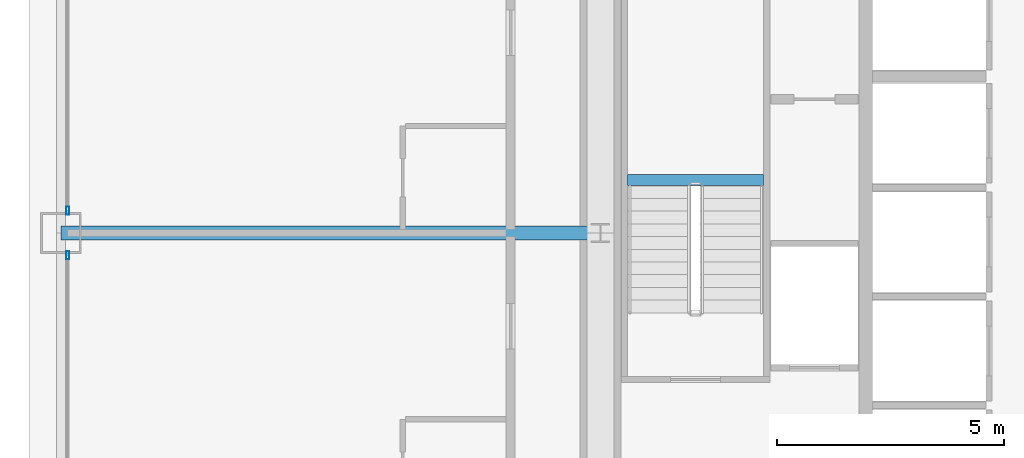
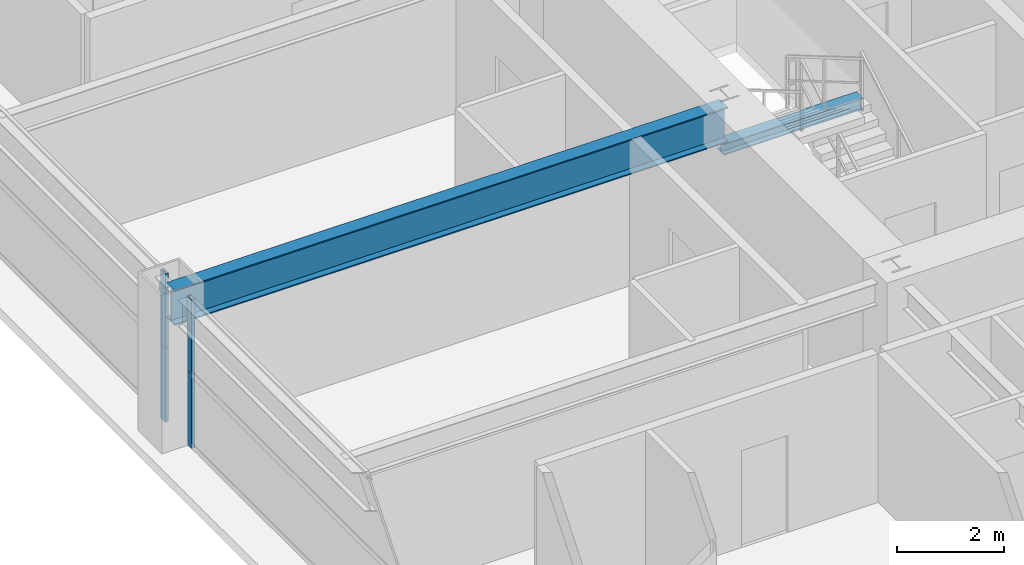
# One storey, part 12 of 45: 4 members, 2 beams, 2 elements without a shape of their own.
"""IFC4 building model written with IfcOpenShell, lengths in metres."""

from ifc_helpers import new_model, si_unit, direction, frame, origin, origin_2d, place, context, subcontext, project, spatial, hollow_rectangle, i_section, extrude, source, transform, mapped, material, layer, layer_set, material_profile, profile_set, type_object, element, aggregate, save


model = new_model("IFC4")

# Units and contexts
model_context = context("Model", 3, precision=1e-05, world=origin(), true_north=direction((0.0, 1.0)))
body_context = subcontext(model_context, "Body", "Model", "MODEL_VIEW")
ifc_project = project(units=[si_unit("LENGTHUNIT", "METRE"), si_unit("AREAUNIT", "SQUARE_METRE"), si_unit("VOLUMEUNIT", "CUBIC_METRE"), si_unit("PLANEANGLEUNIT", "RADIAN"), si_unit("MASSUNIT", "GRAM", prefix="KILO"), si_unit("THERMODYNAMICTEMPERATUREUNIT", "KELVIN"), si_unit("POWERUNIT", "WATT")], contexts=[model_context])

# Site, building, storey
site_placement = place(None, origin())
site = spatial("IfcSite", under=ifc_project, at=site_placement, CompositionType="ELEMENT")
building_placement = place(site_placement, origin())
building = spatial("IfcBuilding", under=site, at=building_placement, Name="Yuzanri Waterfront Tower", CompositionType="ELEMENT")
storey_placement = place(building_placement, frame((0.0, 0.0, 34.199951171875)))
storey = spatial("IfcBuildingStorey", under=building, at=storey_placement, Name="L08", CompositionType="ELEMENT", Elevation=34.199951171875)

# Beam
ifc_material_1 = material(Name="Steel Q355B", Category="steel")
ifc_material_profile_1 = material_profile(ifc_material_1, i_section(OverallWidth=0.300048828125, OverallDepth=0.800048828125, WebThickness=0.013916015625, FlangeThickness=0.02587890625, at=origin_2d()), Name="HN 800x300x14x26")
ifc_profile_set_1 = profile_set([ifc_material_profile_1], Name="Steel Q355B")
beam_type_1 = type_object("IfcBeamType", Name="Primary Floor Girder Q355B HN 800x300", PredefinedType="BEAM", material=ifc_profile_set_1)
shared_shape_1 = source(origin(), body_context, "Body", "SweptSolid", [
    extrude(i_section(OverallWidth=0.300048828125, OverallDepth=0.800048828125, WebThickness=0.013916015625, FlangeThickness=0.02587890625, at=origin_2d()), origin(), (0.0, 0.0, 1.0), 11.900146484375),
])
beam_1_placement = place(storey_placement, frame((23.800048828125, 25.800048828125, 2.97998046875), z_axis=(-1.0, 0.0, 0.0), x_axis=(0.0, -1.0, 0.0)))
element("IfcBeam", 1, at=beam_1_placement, inside=storey, type_object=beam_type_1, Name="L08 West Grid Girder", PredefinedType="BEAM", context=body_context, shape_type="MappedRepresentation", body=[
    mapped(shared_shape_1, transform((0.0, 0.0, 0.0), scale=1.0)),
])

# Curtain wall, members
ifc_material_2 = material(Name="Anodized Architectural Bronze", Category="metal")
ifc_layer = layer(ifc_material_2, 0.159912109375)
ifc_layer_set = layer_set([ifc_layer], Name="Anodized Architectural Bronze")
curtain_wall_type = type_object("IfcCurtainWallType", Name="Anodized Bronze Hotel Lower-Tier Recessed Unitized Curtain Wall 8100", PredefinedType="NOTDEFINED", material=ifc_layer_set)
curtain_wall_1_placement = place(storey_placement, origin())
curtain_wall_1 = element("IfcCurtainWall", 2, at=curtain_wall_1_placement, inside=storey, type_object=curtain_wall_type, Name="L08 Curtain Wall CW-L08-WL", PredefinedType="NOTDEFINED")
ifc_material_3 = material(Name="Anodized Architectural Bronze", Category="metal")
ifc_material_profile_2 = material_profile(ifc_material_3, hollow_rectangle(XDim=0.070068359375, YDim=0.179931640625, WallThickness=0.00390625, at=origin_2d()), Name="CWM 70x180")
ifc_profile_set_2 = profile_set([ifc_material_profile_2], Name="Anodized Architectural Bronze")
member_type = type_object("IfcMemberType", Name="Anodized Bronze Standard Curtain-Wall Mullion 70x180", PredefinedType="MULLION", material=ifc_profile_set_2)
shared_shape_2 = source(origin(), body_context, "Body", "SweptSolid", [
    extrude(hollow_rectangle(XDim=0.070068359375, YDim=0.179931640625, WallThickness=0.00390625, at=origin_2d()), origin(), (0.0, 0.0, 1.0), 1.68798828125),
])
member_1_placement = place(storey_placement, frame((12.050048828125, 25.31005859375, 0.0), z_axis=(0.0, 0.0, 1.0), x_axis=(1.0, 0.0, 0.0)))
member_1 = element("IfcMember", 3, at=member_1_placement, type_object=member_type, Name="CW-L08-WL Lower Mullion 02", PredefinedType="MULLION", context=body_context, shape_type="MappedRepresentation", body=[
    mapped(shared_shape_2, transform((0.0, 0.0, 0.0), scale=1.0)),
])
member_2_placement = place(storey_placement, frame((12.050048828125, 25.31005859375, 1.692138671875), z_axis=(0.0, 0.0, 1.0), x_axis=(1.0, 0.0, 0.0)))
member_2 = element("IfcMember", 4, at=member_2_placement, type_object=member_type, Name="CW-L08-WL Upper Mullion 02", PredefinedType="MULLION", context=body_context, shape_type="MappedRepresentation", body=[
    mapped(shared_shape_2, transform((0.0, 0.0, 0.0), scale=1.0)),
])
aggregate(curtain_wall_1, [member_1, member_2])

curtain_wall_2_placement = place(storey_placement, origin())
curtain_wall_2 = element("IfcCurtainWall", 5, at=curtain_wall_2_placement, inside=storey, type_object=curtain_wall_type, Name="L08 Curtain Wall CW-L08-WR", PredefinedType="NOTDEFINED")
member_3_placement = place(storey_placement, frame((12.050048828125, 26.2900390625, 0.0), z_axis=(0.0, 0.0, 1.0), x_axis=(1.0, 0.0, 0.0)))
member_3 = element("IfcMember", 6, at=member_3_placement, type_object=member_type, Name="CW-L08-WR Lower Mullion 00", PredefinedType="MULLION", context=body_context, shape_type="MappedRepresentation", body=[
    mapped(shared_shape_2, transform((0.0, 0.0, 0.0), scale=1.0)),
])
member_4_placement = place(storey_placement, frame((12.050048828125, 26.2900390625, 1.692138671875), z_axis=(0.0, 0.0, 1.0), x_axis=(1.0, 0.0, 0.0)))
member_4 = element("IfcMember", 7, at=member_4_placement, type_object=member_type, Name="CW-L08-WR Upper Mullion 00", PredefinedType="MULLION", context=body_context, shape_type="MappedRepresentation", body=[
    mapped(shared_shape_2, transform((0.0, 0.0, 0.0), scale=1.0)),
])
aggregate(curtain_wall_2, [member_3, member_4])

# Beam
ifc_material_4 = material(Name="Steel Q355B", Category="steel")
ifc_material_profile_3 = material_profile(ifc_material_4, i_section(OverallWidth=0.25, OverallDepth=0.25, WebThickness=0.009033203125, FlangeThickness=0.013916015625, at=origin_2d()), Name="HW 250x250x9x14")
ifc_profile_set_3 = profile_set([ifc_material_profile_3], Name="Steel Q355B")
beam_type_2 = type_object("IfcBeamType", Name="Stair Landing Support Beam Q355B HW 250x250", PredefinedType="BEAM", material=ifc_profile_set_3)
shared_shape_3 = source(origin(), body_context, "Body", "SweptSolid", [
    extrude(i_section(OverallWidth=0.25, OverallDepth=0.25, WebThickness=0.009033203125, FlangeThickness=0.013916015625, at=origin_2d()), origin(), (0.0, 0.0, 1.0), 3.0),
])
beam_2_placement = place(storey_placement, frame((24.39990234375, 26.969970703125, 1.47509765625), z_axis=(1.0, 0.0, 0.0), x_axis=(0.0, 1.0, 0.0)))
element("IfcBeam", 8, at=beam_2_placement, inside=storey, type_object=beam_type_2, Name="L08 Stair Landing Support Beam ST-01-L08-L1-1", PredefinedType="BEAM", context=body_context, shape_type="MappedRepresentation", body=[
    mapped(shared_shape_3, transform((0.0, 0.0, 0.0), scale=1.0)),
])

save(model, "model.ifc")
